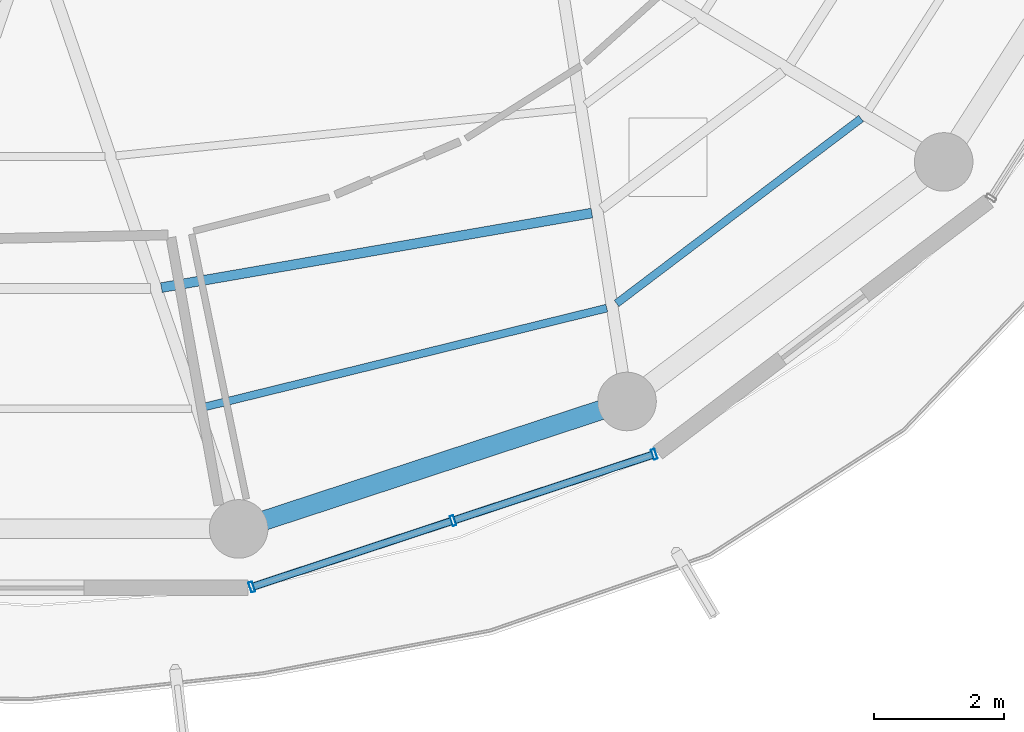
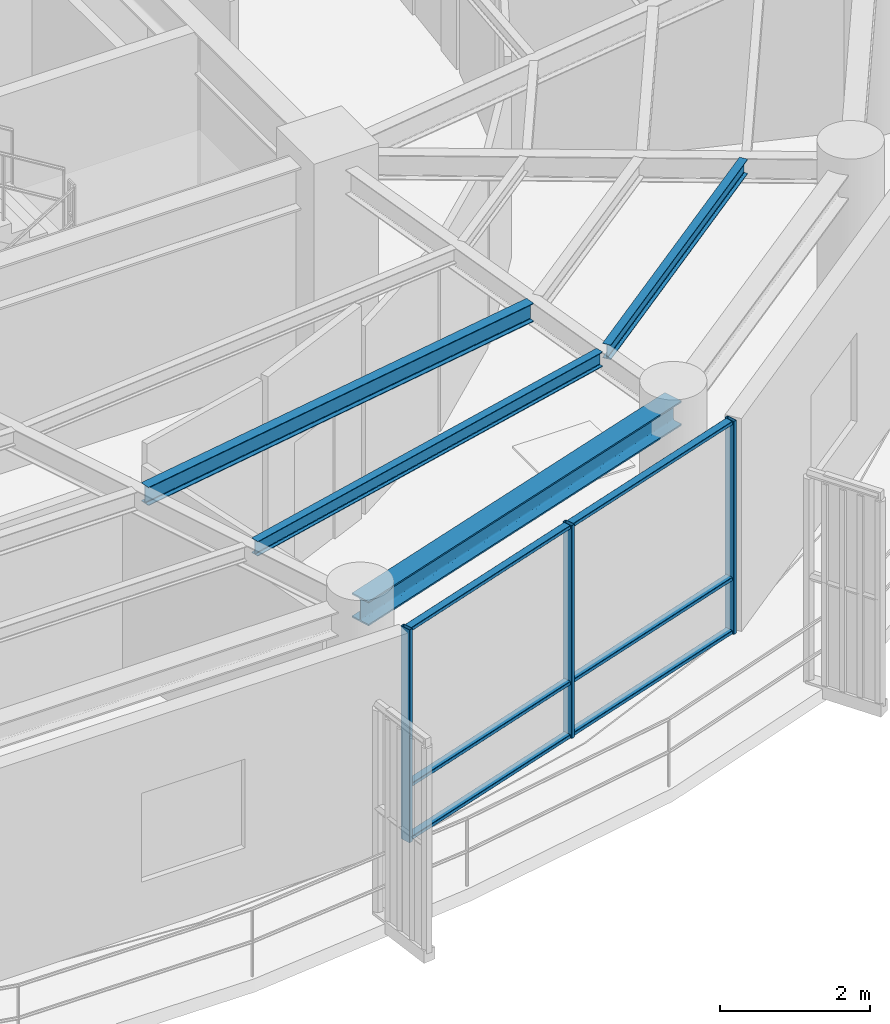
# One storey, part 5 of 23: 9 members, 4 beams, 1 element without a shape of its own.
"""IFC4 building model written with IfcOpenShell, lengths in metres."""

from ifc_helpers import new_model, si_unit, direction, frame, origin, origin_2d, place, context, subcontext, project, spatial, hollow_rectangle, i_section, extrude, material, layer, layer_set, material_profile, profile_set, type_object, element, aggregate, save


model = new_model("IFC4")

# Units and contexts
model_context = context("Model", 3, precision=1e-05, world=origin(), true_north=direction((0.0, 1.0)))
body_context = subcontext(model_context, "Body", "Model", "MODEL_VIEW")
ifc_project = project(units=[si_unit("LENGTHUNIT", "METRE"), si_unit("AREAUNIT", "SQUARE_METRE"), si_unit("VOLUMEUNIT", "CUBIC_METRE"), si_unit("PLANEANGLEUNIT", "RADIAN"), si_unit("MASSUNIT", "GRAM", prefix="KILO")], contexts=[model_context])

# Site, building, storey
site_placement = place(None, origin())
site = spatial("IfcSite", under=ifc_project, at=site_placement, CompositionType="ELEMENT")
building_placement = place(site_placement, origin())
building = spatial("IfcBuilding", under=site, at=building_placement, Name="Kelanora Arch Commons", CompositionType="ELEMENT")
storey_placement = place(building_placement, frame((0.0, 0.0, 282.449951171875)))
storey = spatial("IfcBuildingStorey", under=building, at=storey_placement, Name="L72", CompositionType="ELEMENT", Elevation=282.449951171875)

# Beams
ifc_material_1 = material(Name="Steel S355", Category="steel")
ifc_material_profile_1 = material_profile(ifc_material_1, i_section(OverallWidth=0.14990234375, OverallDepth=0.300048828125, WebThickness=0.007080078125, FlangeThickness=0.0107421875, FilletRadius=0.014892578125, at=origin_2d()), Name="IPE300")
ifc_profile_set_1 = profile_set([ifc_material_profile_1], Name="Steel S355")
beam_type_1 = type_object("IfcBeamType", Name="BM-JST-01", PredefinedType="JOIST", material=ifc_profile_set_1)
beam_1_placement = place(storey_placement, frame((75.98828125, 45.476806640625, 3.340087890625), z_axis=(0.985321568263, 0.170708544357, 0.0), x_axis=(-0.170708544357, 0.985321568263, 0.0)))
element("IfcBeam", 1, at=beam_1_placement, inside=storey, type_object=beam_type_1, Name="Secondary Chord Joist BJB-28 L72", PredefinedType="JOIST", context=body_context, shape_type="SweptSolid", body=[
    extrude(i_section(OverallWidth=0.14990234375, OverallDepth=0.300048828125, WebThickness=0.007080078125, FlangeThickness=0.0107421875, FilletRadius=0.014892578125, at=origin_2d()), origin(), (0.0, 0.0, 1.0), 6.710205078125),
])
ifc_material_profile_2 = material_profile(ifc_material_1, i_section(OverallWidth=0.1201171875, OverallDepth=0.239990234375, WebThickness=0.006103515625, FlangeThickness=0.009765625, FilletRadius=0.014892578125, at=origin_2d()), Name="IPE240")
ifc_profile_set_2 = profile_set([ifc_material_profile_2], Name="Steel S355")
beam_type_2 = type_object("IfcBeamType", Name="BM-JST-02", PredefinedType="JOIST", material=ifc_profile_set_2)
beam_2_placement = place(storey_placement, frame((76.6220703125, 43.63671875, 3.3701171875), z_axis=(0.971109719488, 0.23863342749, 0.0), x_axis=(-0.23863342749, 0.971109719488, 0.0)))
element("IfcBeam", 2, at=beam_2_placement, inside=storey, type_object=beam_type_2, Name="Secondary Chord Joist BJC-28 L72", PredefinedType="JOIST", context=body_context, shape_type="SweptSolid", body=[
    extrude(i_section(OverallWidth=0.1201171875, OverallDepth=0.239990234375, WebThickness=0.006103515625, FlangeThickness=0.009765625, FilletRadius=0.014892578125, at=origin_2d()), origin(), (0.0, 0.0, 1.0), 6.39208984375),
])
beam_3_placement = place(storey_placement, frame((82.979736328125, 45.233642578125, 3.3701171875), z_axis=(0.79752302984, 0.60328850219, 0.0), x_axis=(-0.60328850219, 0.79752302984, 0.0)))
element("IfcBeam", 3, at=beam_3_placement, inside=storey, type_object=beam_type_2, Name="Secondary Chord Joist BJC-30 L72", PredefinedType="JOIST", context=body_context, shape_type="SweptSolid", body=[
    extrude(i_section(OverallWidth=0.1201171875, OverallDepth=0.239990234375, WebThickness=0.006103515625, FlangeThickness=0.009765625, FilletRadius=0.014892578125, at=origin_2d()), origin(), (0.0, 0.0, 1.0), 4.70849609375),
])
ifc_material_profile_3 = material_profile(ifc_material_1, i_section(OverallWidth=0.300048828125, OverallDepth=0.39990234375, WebThickness=0.013427734375, FlangeThickness=0.02392578125, FilletRadius=0.027099609375, at=origin_2d()), Name="HEB400")
ifc_profile_set_3 = profile_set([ifc_material_profile_3], Name="Steel S355")
beam_type_3 = type_object("IfcBeamType", Name="BM-SPN-Z4", PredefinedType="SPANDREL", material=ifc_profile_set_3)
beam_4_placement = place(storey_placement, frame((77.17431640625, 41.7705078125, 3.2900390625), z_axis=(0.950165923039, 0.311744636996, 0.0), x_axis=(-0.311744636996, 0.950165923039, 0.0)))
element("IfcBeam", 4, at=beam_4_placement, inside=storey, type_object=beam_type_3, Name="Perimeter Spandrel Beam BS-28 L72", PredefinedType="SPANDREL", context=body_context, shape_type="SweptSolid", body=[
    extrude(i_section(OverallWidth=0.300048828125, OverallDepth=0.39990234375, WebThickness=0.013427734375, FlangeThickness=0.02392578125, FilletRadius=0.027099609375, at=origin_2d()), origin(), (0.0, 0.0, 1.0), 6.278564453125),
])

# Curtain wall, members
ifc_material_2 = material(Name="Terracotta ceramic-fritted low-E glass and aluminium", Category="masonry")
ifc_layer = layer(ifc_material_2, 0.18994140625)
ifc_layer_set = layer_set([ifc_layer], Name="Terracotta ceramic-fritted low-E glass and aluminium")
curtain_wall_type = type_object("IfcCurtainWallType", Name="CW-SYS-03", PredefinedType="NOTDEFINED", material=ifc_layer_set)
curtain_wall_placement = place(storey_placement, origin())
curtain_wall = element("IfcCurtainWall", 5, at=curtain_wall_placement, inside=storey, type_object=curtain_wall_type, Name="Unitised Curtain Wall L72-B14", PredefinedType="NOTDEFINED")
ifc_material_3 = material(Name="Powder-coated aluminium terracotta", Category="masonry")
ifc_material_profile_4 = material_profile(ifc_material_3, hollow_rectangle(XDim=0.159912109375, YDim=0.06005859375, WallThickness=0.0048828125, InnerFilletRadius=0.0048828125, OuterFilletRadius=0.010009765625, at=origin_2d()), Name="CWM160x60")
ifc_profile_set_4 = profile_set([ifc_material_profile_4], Name="Powder-coated aluminium terracotta")
member_type_1 = type_object("IfcMemberType", Name="CWM-STD", PredefinedType="MULLION", material=ifc_profile_set_4)
member_1_placement = place(storey_placement, frame((77.376708984375, 40.87841796875, 0.0), z_axis=(0.0, 0.0, 1.0), x_axis=(-0.313252785344, 0.949669780752, 0.0)))
member_1 = element("IfcMember", 6, at=member_1_placement, type_object=member_type_1, Name="CW-03 mullion 1", PredefinedType="MULLION", context=body_context, shape_type="SweptSolid", body=[
    extrude(hollow_rectangle(XDim=0.159912109375, YDim=0.06005859375, WallThickness=0.0048828125, InnerFilletRadius=0.0048828125, OuterFilletRadius=0.010009765625, at=origin_2d()), origin(), (0.0, 0.0, 1.0), 3.47509765625),
])
member_2_placement = place(storey_placement, frame((80.467041015625, 41.897705078125, 0.0), z_axis=(0.0, 0.0, 1.0), x_axis=(-0.313252785344, 0.949669780752, 0.0)))
member_2 = element("IfcMember", 7, at=member_2_placement, type_object=member_type_1, Name="CW-03 mullion 2", PredefinedType="MULLION", context=body_context, shape_type="SweptSolid", body=[
    extrude(hollow_rectangle(XDim=0.159912109375, YDim=0.06005859375, WallThickness=0.0048828125, InnerFilletRadius=0.0048828125, OuterFilletRadius=0.010009765625, at=origin_2d()), origin(), (0.0, 0.0, 1.0), 3.47509765625),
])
member_3_placement = place(storey_placement, frame((83.557373046875, 42.9169921875, 0.0), z_axis=(0.0, 0.0, 1.0), x_axis=(-0.313252785344, 0.949669780752, 0.0)))
member_3 = element("IfcMember", 8, at=member_3_placement, type_object=member_type_1, Name="CW-03 mullion 3", PredefinedType="MULLION", context=body_context, shape_type="SweptSolid", body=[
    extrude(hollow_rectangle(XDim=0.159912109375, YDim=0.06005859375, WallThickness=0.0048828125, InnerFilletRadius=0.0048828125, OuterFilletRadius=0.010009765625, at=origin_2d()), origin(), (0.0, 0.0, 1.0), 3.47509765625),
])
ifc_material_profile_5 = material_profile(ifc_material_3, hollow_rectangle(XDim=0.1201171875, YDim=0.06005859375, WallThickness=0.0048828125, InnerFilletRadius=0.0048828125, OuterFilletRadius=0.010009765625, at=origin_2d()), Name="CWT120x60")
ifc_profile_set_5 = profile_set([ifc_material_profile_5], Name="Powder-coated aluminium terracotta")
member_type_2 = type_object("IfcMemberType", Name="CWT-STD", PredefinedType="USERDEFINED", material=ifc_profile_set_5)
member_4_placement = place(storey_placement, frame((77.4052734375, 40.8876953125, 0.030029296875), z_axis=(0.949649574195, 0.313314037719, 0.0), x_axis=(-0.313314037719, 0.949649574195, 0.0)))
member_4 = element("IfcMember", 9, at=member_4_placement, type_object=member_type_2, Name="CW-03 transom 1.1", ObjectType="TRANSOM", PredefinedType="USERDEFINED", context=body_context, shape_type="SweptSolid", body=[
    extrude(hollow_rectangle(XDim=0.1201171875, YDim=0.06005859375, WallThickness=0.0048828125, InnerFilletRadius=0.0048828125, OuterFilletRadius=0.010009765625, at=origin_2d()), origin(), (0.0, 0.0, 1.0), 3.194091796875),
])
member_5_placement = place(storey_placement, frame((77.4052734375, 40.8876953125, 0.900146484375), z_axis=(0.949649574195, 0.313314037719, 0.0), x_axis=(-0.313314037719, 0.949649574195, 0.0)))
member_5 = element("IfcMember", 10, at=member_5_placement, type_object=member_type_2, Name="CW-03 transom 1.2", ObjectType="TRANSOM", PredefinedType="USERDEFINED", context=body_context, shape_type="SweptSolid", body=[
    extrude(hollow_rectangle(XDim=0.1201171875, YDim=0.06005859375, WallThickness=0.0048828125, InnerFilletRadius=0.0048828125, OuterFilletRadius=0.010009765625, at=origin_2d()), origin(), (0.0, 0.0, 1.0), 3.194091796875),
])
member_6_placement = place(storey_placement, frame((77.4052734375, 40.8876953125, 3.445068359375), z_axis=(0.949649574195, 0.313314037719, 0.0), x_axis=(-0.313314037719, 0.949649574195, 0.0)))
member_6 = element("IfcMember", 11, at=member_6_placement, type_object=member_type_2, Name="CW-03 transom 1.3", ObjectType="TRANSOM", PredefinedType="USERDEFINED", context=body_context, shape_type="SweptSolid", body=[
    extrude(hollow_rectangle(XDim=0.1201171875, YDim=0.06005859375, WallThickness=0.0048828125, InnerFilletRadius=0.0048828125, OuterFilletRadius=0.010009765625, at=origin_2d()), origin(), (0.0, 0.0, 1.0), 3.194091796875),
])
member_7_placement = place(storey_placement, frame((80.49560546875, 41.9072265625, 0.030029296875), z_axis=(0.949672315102, 0.313245102003, 0.0), x_axis=(-0.313245102003, 0.949672315102, 0.0)))
member_7 = element("IfcMember", 12, at=member_7_placement, type_object=member_type_2, Name="CW-03 transom 2.1", ObjectType="TRANSOM", PredefinedType="USERDEFINED", context=body_context, shape_type="SweptSolid", body=[
    extrude(hollow_rectangle(XDim=0.1201171875, YDim=0.06005859375, WallThickness=0.0048828125, InnerFilletRadius=0.0048828125, OuterFilletRadius=0.010009765625, at=origin_2d()), origin(), (0.0, 0.0, 1.0), 3.19384765625),
])
member_8_placement = place(storey_placement, frame((80.49560546875, 41.9072265625, 0.900146484375), z_axis=(0.949672315102, 0.313245102003, 0.0), x_axis=(-0.313245102003, 0.949672315102, 0.0)))
member_8 = element("IfcMember", 13, at=member_8_placement, type_object=member_type_2, Name="CW-03 transom 2.2", ObjectType="TRANSOM", PredefinedType="USERDEFINED", context=body_context, shape_type="SweptSolid", body=[
    extrude(hollow_rectangle(XDim=0.1201171875, YDim=0.06005859375, WallThickness=0.0048828125, InnerFilletRadius=0.0048828125, OuterFilletRadius=0.010009765625, at=origin_2d()), origin(), (0.0, 0.0, 1.0), 3.19384765625),
])
member_9_placement = place(storey_placement, frame((80.49560546875, 41.9072265625, 3.445068359375), z_axis=(0.949672315102, 0.313245102003, 0.0), x_axis=(-0.313245102003, 0.949672315102, 0.0)))
member_9 = element("IfcMember", 14, at=member_9_placement, type_object=member_type_2, Name="CW-03 transom 2.3", ObjectType="TRANSOM", PredefinedType="USERDEFINED", context=body_context, shape_type="SweptSolid", body=[
    extrude(hollow_rectangle(XDim=0.1201171875, YDim=0.06005859375, WallThickness=0.0048828125, InnerFilletRadius=0.0048828125, OuterFilletRadius=0.010009765625, at=origin_2d()), origin(), (0.0, 0.0, 1.0), 3.19384765625),
])
aggregate(curtain_wall, [member_1, member_2, member_3, member_4, member_5, member_6, member_7, member_8, member_9])

save(model, "model.ifc")
